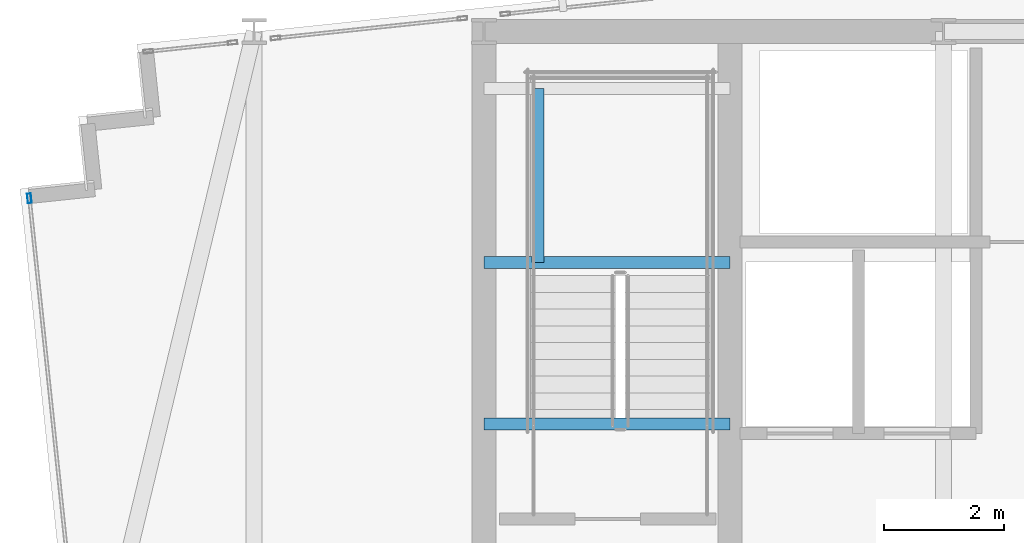
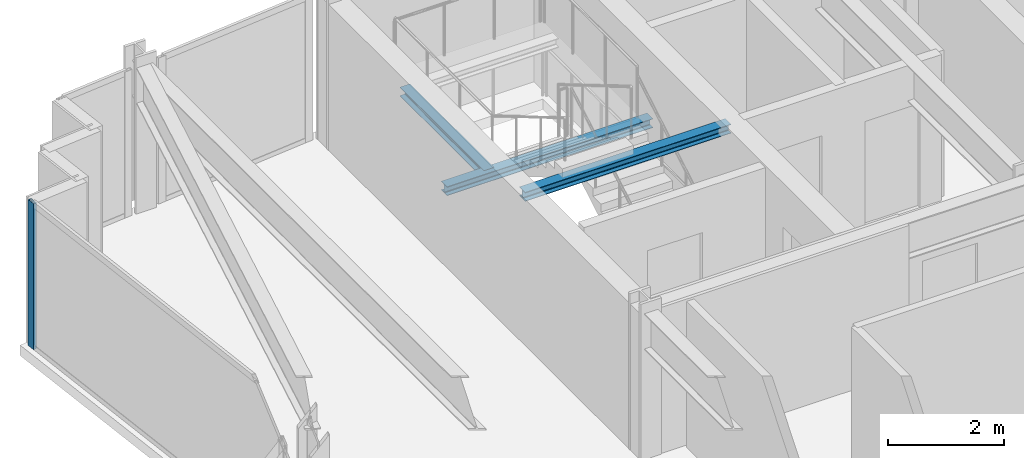
# One storey, part 12 of 32: 3 beams, 1 member, 1 element without a shape of its own.
"""IFC4 building model written with IfcOpenShell, lengths in metres."""

from ifc_helpers import new_model, si_unit, direction, frame, origin, origin_2d, place, context, subcontext, project, spatial, hollow_rectangle, i_section, extrude, material, material_profile, profile_set, type_object, element, aggregate, save


model = new_model("IFC4")

# Units and contexts
model_context = context("Model", 3, precision=1e-05, world=origin(), true_north=direction((0.0, 1.0)))
body_context = subcontext(model_context, "Body", "Model", "MODEL_VIEW")
ifc_project = project(units=[si_unit("LENGTHUNIT", "METRE"), si_unit("AREAUNIT", "SQUARE_METRE"), si_unit("VOLUMEUNIT", "CUBIC_METRE"), si_unit("PLANEANGLEUNIT", "RADIAN"), si_unit("MASSUNIT", "GRAM", prefix="KILO")], contexts=[model_context])

# Site, building, storey
site_placement = place(None, origin())
site = spatial("IfcSite", under=ifc_project, at=site_placement, CompositionType="ELEMENT")
building_placement = place(site_placement, origin())
building = spatial("IfcBuilding", under=site, at=building_placement, Name="Yelkora Congress Tower", CompositionType="ELEMENT")
storey_placement = place(building_placement, frame((0.0, 0.0, 214.39990234375)))
storey = spatial("IfcBuildingStorey", under=building, at=storey_placement, Name="L59", CompositionType="ELEMENT", Elevation=214.39990234375)

# Beams
ifc_material_1 = material(Name="Steel S355J2", Category="steel")
ifc_material_profile_1 = material_profile(ifc_material_1, i_section(OverallWidth=0.199951171875, OverallDepth=0.18994140625, WebThickness=0.006591796875, FlangeThickness=0.010009765625, FilletRadius=0.01806640625, at=origin_2d()), Name="HEA 200")
ifc_profile_set_1 = profile_set([ifc_material_profile_1], Name="Steel S355J2")
beam_type = type_object("IfcBeamType", Name="BM-LAND-HEA200", PredefinedType="BEAM", material=ifc_profile_set_1)
beam_1_placement = place(storey_placement, frame((23.0400390625, 42.340087890625, 1.334716796875), z_axis=(1.0, 0.0, 0.0), x_axis=(0.0, 1.0, 0.0)))
element("IfcBeam", 1, at=beam_1_placement, inside=storey, type_object=beam_type, Name="ST-01 L59 Landing Header Beam 1S", PredefinedType="BEAM", context=body_context, shape_type="SweptSolid", body=[
    extrude(i_section(OverallWidth=0.199951171875, OverallDepth=0.18994140625, WebThickness=0.006591796875, FlangeThickness=0.010009765625, FilletRadius=0.01806640625, at=origin_2d()), origin(), (0.0, 0.0, 1.0), 4.10986328125),
])
beam_2_placement = place(storey_placement, frame((23.93994140625, 42.340087890625, 1.334716796875), z_axis=(0.0, 1.0, 0.0), x_axis=(-1.0, 0.0, 0.0)))
element("IfcBeam", 2, at=beam_2_placement, inside=storey, type_object=beam_type, Name="ST-01 L59 Landing Trimmer Beam 1M", PredefinedType="BEAM", context=body_context, shape_type="SweptSolid", body=[
    extrude(i_section(OverallWidth=0.199951171875, OverallDepth=0.18994140625, WebThickness=0.006591796875, FlangeThickness=0.010009765625, FilletRadius=0.01806640625, at=origin_2d()), origin(), (0.0, 0.0, 1.0), 2.909912109375),
])
beam_3_placement = place(storey_placement, frame((23.0400390625, 39.639892578125, 2.85400390625), z_axis=(1.0, 0.0, 0.0), x_axis=(0.0, 1.0, 0.0)))
element("IfcBeam", 3, at=beam_3_placement, inside=storey, type_object=beam_type, Name="ST-01 L59 Floor Arrival Stringer Header Beam", PredefinedType="BEAM", context=body_context, shape_type="SweptSolid", body=[
    extrude(i_section(OverallWidth=0.199951171875, OverallDepth=0.18994140625, WebThickness=0.006591796875, FlangeThickness=0.010009765625, FilletRadius=0.01806640625, at=origin_2d()), origin(), (0.0, 0.0, 1.0), 4.10986328125),
])

# Curtain wall, member
ifc_material_2 = material(Name="Anodised aluminium and insulated glass", Category="aluminium")
curtain_wall_type = type_object("IfcCurtainWallType", Name="CW-SYS-B4", PredefinedType="NOTDEFINED", material=ifc_material_2)
curtain_wall_placement = place(storey_placement, origin())
curtain_wall = element("IfcCurtainWall", 4, at=curtain_wall_placement, inside=storey, type_object=curtain_wall_type, Name="L59 Unitised Curtain Wall 5", PredefinedType="NOTDEFINED")
ifc_material_3 = material(Name="Anodised aluminium 6063-T6", Category="aluminium")
ifc_material_profile_2 = material_profile(ifc_material_3, hollow_rectangle(XDim=0.06494140625, YDim=0.159912109375, WallThickness=0.00390625, at=origin_2d()), Name="ALU 65x160x4")
ifc_profile_set_2 = profile_set([ifc_material_profile_2], Name="Anodised aluminium 6063-T6")
member_type = type_object("IfcMemberType", Name="MEM-ML-B4", PredefinedType="MULLION", material=ifc_profile_set_2)
member_placement = place(storey_placement, frame((15.444580078125, 43.412353515625, 0.0), z_axis=(0.0, 0.0, 1.0), x_axis=(-0.994522145958, -0.104526079034, 0.0)))
member = element("IfcMember", 5, at=member_placement, type_object=member_type, Name="CW-B4 mullion 5", PredefinedType="MULLION", context=body_context, shape_type="SweptSolid", body=[
    extrude(hollow_rectangle(XDim=0.06494140625, YDim=0.159912109375, WallThickness=0.00390625, at=origin_2d()), origin(), (0.0, 0.0, 1.0), 3.080078125),
])
aggregate(curtain_wall, [member])

save(model, "model.ifc")
